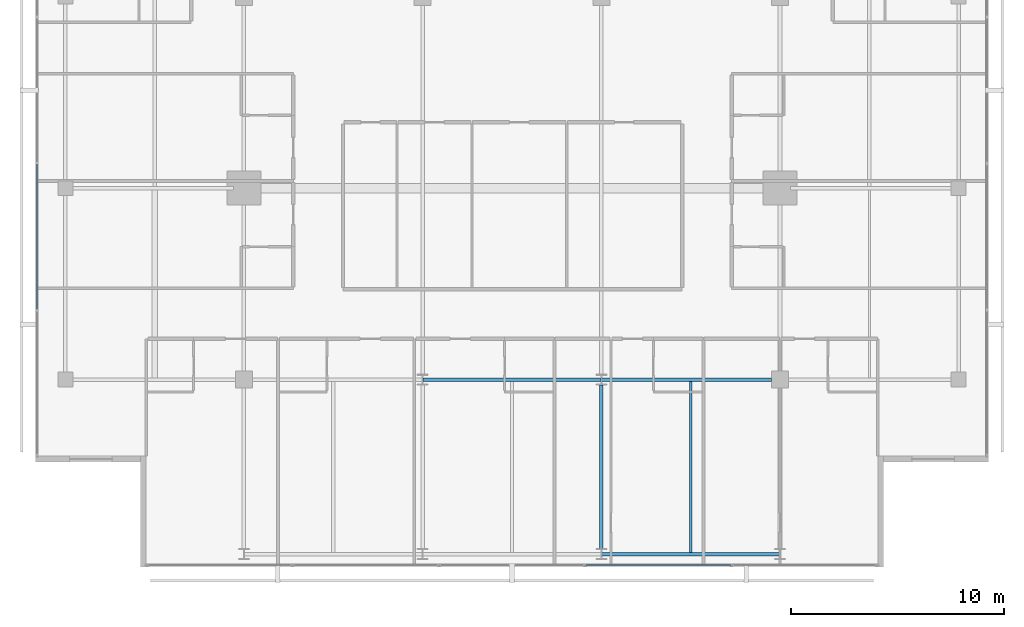
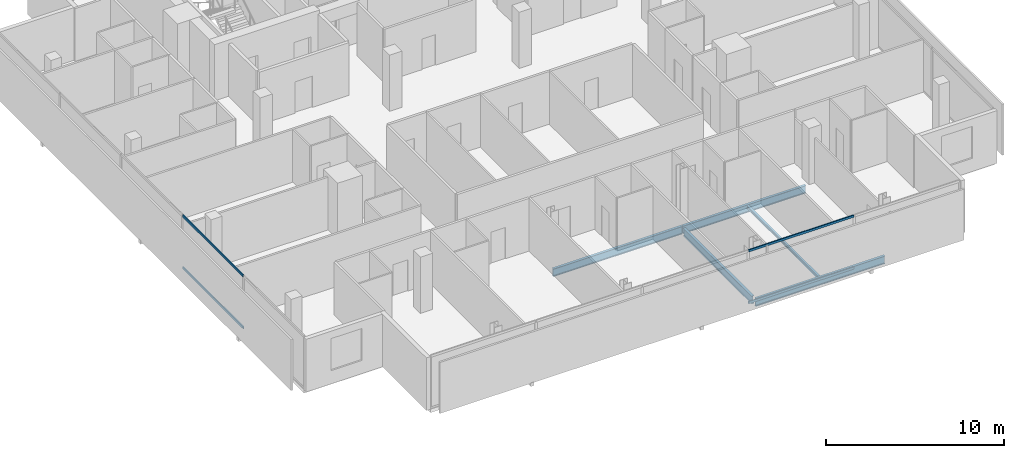
# One storey, part 7 of 26: 5 beams, 4 members, 2 elements without a shape of their own.
"""IFC4 building model written with IfcOpenShell, lengths in metres."""

from ifc_helpers import new_model, si_unit, direction, frame, origin, origin_2d, place, context, subcontext, project, spatial, hollow_rectangle, i_section, extrude, material, layer, layer_set, material_profile, profile_set, type_object, element, aggregate, save


model = new_model("IFC4")

# Units and contexts
model_context = context("Model", 3, precision=1e-05, world=origin(), true_north=direction((0.0, 1.0)))
body_context = subcontext(model_context, "Body", "Model", "MODEL_VIEW")
ifc_project = project(units=[si_unit("LENGTHUNIT", "METRE"), si_unit("AREAUNIT", "SQUARE_METRE"), si_unit("VOLUMEUNIT", "CUBIC_METRE"), si_unit("PLANEANGLEUNIT", "RADIAN"), si_unit("MASSUNIT", "GRAM", prefix="KILO")], contexts=[model_context])

# Site, building, storey
site_placement = place(None, origin())
site = spatial("IfcSite", under=ifc_project, at=site_placement, CompositionType="ELEMENT")
building_placement = place(site_placement, origin())
building = spatial("IfcBuilding", under=site, at=building_placement, Name="Maruvema Waterfront Hotel and Observation Tower", CompositionType="ELEMENT")
storey_placement = place(building_placement, frame((0.0, 0.0, 293.300048828125)))
storey = spatial("IfcBuildingStorey", under=building, at=storey_placement, Name="L72", CompositionType="ELEMENT", Elevation=293.300048828125)

# Curtain wall, members
ifc_material_1 = material(Name="Anodised bronze aluminium and solar-control low-E IGU", Category="aluminium")
ifc_layer = layer(ifc_material_1, 0.159912109375, Name="Zone 3 Champagne Inner Thermal Curtain Wall System CW-04")
ifc_layer_set = layer_set([ifc_layer], Name="Anodised bronze aluminium and solar-control low-E IGU")
curtain_wall_type = type_object("IfcCurtainWallType", Name="Zone 3 Champagne Inner Thermal Curtain Wall System CW-04", PredefinedType="USERDEFINED", material=ifc_layer_set)
curtain_wall_1_placement = place(storey_placement, origin())
curtain_wall_1 = element("IfcCurtainWall", 1, at=curtain_wall_1_placement, inside=storey, type_object=curtain_wall_type, Name="L72 Curtain Wall CW-L72-S", ObjectType="UNITISED CURTAIN WALL", PredefinedType="USERDEFINED")
ifc_material_2 = material(Name="Anodised architectural bronze aluminium", Category="aluminium")
ifc_material_profile_1 = material_profile(ifc_material_2, hollow_rectangle(XDim=0.070068359375, YDim=0.14990234375, WallThickness=0.00390625, at=origin_2d()), Name="ALU-T70x150")
ifc_profile_set_1 = profile_set([ifc_material_profile_1], Name="Anodised architectural bronze aluminium")
member_type = type_object("IfcMemberType", Name="Curtain Wall Horizontal Transom ALU-T70x150", PredefinedType="USERDEFINED", material=ifc_profile_set_1)
member_1_placement = place(storey_placement, frame((41.27001953125, 9.280029296875, 0.030029296875), z_axis=(1.0, 0.0, 0.0), x_axis=(0.0, 1.0, 0.0)))
member_1 = element("IfcMember", 2, at=member_1_placement, type_object=member_type, Name="CW-04 transom 4.1", ObjectType="TRANSOM", PredefinedType="USERDEFINED", context=body_context, shape_type="SweptSolid", body=[
    extrude(hollow_rectangle(XDim=0.070068359375, YDim=0.14990234375, WallThickness=0.00390625, at=origin_2d()), origin(), (0.0, 0.0, 1.0), 6.820068359375),
])
member_2_placement = place(storey_placement, frame((41.27001953125, 9.280029296875, 3.579833984375), z_axis=(1.0, 0.0, 0.0), x_axis=(0.0, 1.0, 0.0)))
member_2 = element("IfcMember", 3, at=member_2_placement, type_object=member_type, Name="CW-04 transom 4.2", ObjectType="TRANSOM", PredefinedType="USERDEFINED", context=body_context, shape_type="SweptSolid", body=[
    extrude(hollow_rectangle(XDim=0.070068359375, YDim=0.14990234375, WallThickness=0.00390625, at=origin_2d()), origin(), (0.0, 0.0, 1.0), 6.820068359375),
])
aggregate(curtain_wall_1, [member_1, member_2])

curtain_wall_2_placement = place(storey_placement, origin())
curtain_wall_2 = element("IfcCurtainWall", 4, at=curtain_wall_2_placement, inside=storey, type_object=curtain_wall_type, Name="L72 Curtain Wall CW-L72-W", ObjectType="UNITISED CURTAIN WALL", PredefinedType="USERDEFINED")
member_3_placement = place(storey_placement, frame((15.47998046875, 28.1298828125, 0.030029296875), z_axis=(0.0, -1.0, 0.0), x_axis=(1.0, 0.0, 0.0)))
member_3 = element("IfcMember", 5, at=member_3_placement, type_object=member_type, Name="CW-04 transom 4.1", ObjectType="TRANSOM", PredefinedType="USERDEFINED", context=body_context, shape_type="SweptSolid", body=[
    extrude(hollow_rectangle(XDim=0.070068359375, YDim=0.14990234375, WallThickness=0.00390625, at=origin_2d()), origin(), (0.0, 0.0, 1.0), 6.81982421875),
])
member_4_placement = place(storey_placement, frame((15.47998046875, 28.1298828125, 3.579833984375), z_axis=(0.0, -1.0, 0.0), x_axis=(1.0, 0.0, 0.0)))
member_4 = element("IfcMember", 6, at=member_4_placement, type_object=member_type, Name="CW-04 transom 4.2", ObjectType="TRANSOM", PredefinedType="USERDEFINED", context=body_context, shape_type="SweptSolid", body=[
    extrude(hollow_rectangle(XDim=0.070068359375, YDim=0.14990234375, WallThickness=0.00390625, at=origin_2d()), origin(), (0.0, 0.0, 1.0), 6.81982421875),
])
aggregate(curtain_wall_2, [member_3, member_4])

# Beams
ifc_material_3 = material(Name="Steel ASTM A572 Grade 50", Category="steel")
ifc_material_profile_2 = material_profile(ifc_material_3, i_section(OverallWidth=0.166015625, OverallDepth=0.529052734375, WebThickness=0.009765625, FlangeThickness=0.013671875, FilletRadius=0.014892578125, at=origin_2d()), Name="W530x74.0")
ifc_profile_set_2 = profile_set([ifc_material_profile_2], Name="Steel ASTM A572 Grade 50")
beam_type_1 = type_object("IfcBeamType", Name="Primary Floor Girder W530x74.0", PredefinedType="BEAM", material=ifc_profile_set_2)
for number, where, z_axis, x_axis, name in (
    (7, (42.010986328125, 9.800048828125, -0.504638671875), (1.0, 0.0, 0.0), (0.0, 1.0, 0.0), "L72 Floor Girder EW-03"),
    (8, (33.611083984375, 18.0, -0.504638671875), (1.0, 0.0, 0.0), (0.0, 1.0, 0.0), "L72 Floor Girder EW-06"),
):
    element("IfcBeam", number, at=place(storey_placement, frame(where, z_axis=z_axis, x_axis=x_axis)), inside=storey, type_object=beam_type_1, Name=name, PredefinedType="BEAM", context=body_context, shape_type="SweptSolid", body=[
        extrude(i_section(OverallWidth=0.166015625, OverallDepth=0.529052734375, WebThickness=0.009765625, FlangeThickness=0.013671875, FilletRadius=0.014892578125, at=origin_2d()), origin(), (0.0, 0.0, 1.0), 8.3779296875),
    ])
beam_1_placement = place(storey_placement, frame((42.010986328125, 18.0, -0.504638671875), z_axis=(1.0, 0.0, 0.0), x_axis=(0.0, 1.0, 0.0)))
element("IfcBeam", 9, at=beam_1_placement, inside=storey, type_object=beam_type_1, Name="L72 Floor Girder EW-07", PredefinedType="BEAM", context=body_context, shape_type="SweptSolid", body=[
    extrude(i_section(OverallWidth=0.166015625, OverallDepth=0.529052734375, WebThickness=0.009765625, FlangeThickness=0.013671875, FilletRadius=0.014892578125, at=origin_2d()), origin(), (0.0, 0.0, 1.0), 7.989013671875),
])
beam_2_placement = place(storey_placement, frame((42.0, 10.050048828125, -0.504638671875), z_axis=(0.0, 1.0, 0.0), x_axis=(-1.0, 0.0, 0.0)))
element("IfcBeam", 10, at=beam_2_placement, inside=storey, type_object=beam_type_1, Name="L72 Floor Girder NS-10", PredefinedType="BEAM", context=body_context, shape_type="SweptSolid", body=[
    extrude(i_section(OverallWidth=0.166015625, OverallDepth=0.529052734375, WebThickness=0.009765625, FlangeThickness=0.013671875, FilletRadius=0.014892578125, at=origin_2d()), origin(), (0.0, 0.0, 1.0), 7.699951171875),
])
ifc_material_4 = material(Name="Steel ASTM A572 Grade 50", Category="steel")
ifc_material_profile_3 = material_profile(ifc_material_4, i_section(OverallWidth=0.133056640625, OverallDepth=0.20703125, WebThickness=0.005859375, FlangeThickness=0.00830078125, FilletRadius=0.010009765625, at=origin_2d()), Name="W200x26.6")
ifc_profile_set_3 = profile_set([ifc_material_profile_3], Name="Steel ASTM A572 Grade 50")
beam_type_2 = type_object("IfcBeamType", Name="Secondary Floor Joist W200x26.6", PredefinedType="JOIST", material=ifc_profile_set_3)
beam_3_placement = place(storey_placement, frame((46.199951171875, 9.883056640625, -0.343505859375), z_axis=(0.0, 1.0, 0.0), x_axis=(-1.0, 0.0, 0.0)))
element("IfcBeam", 11, at=beam_3_placement, inside=storey, type_object=beam_type_2, Name="L72 Secondary Floor Joist JS-06", PredefinedType="JOIST", context=body_context, shape_type="SweptSolid", body=[
    extrude(i_section(OverallWidth=0.133056640625, OverallDepth=0.20703125, WebThickness=0.005859375, FlangeThickness=0.00830078125, FilletRadius=0.010009765625, at=origin_2d()), origin(), (0.0, 0.0, 1.0), 8.033935546875),
])

save(model, "model.ifc")
